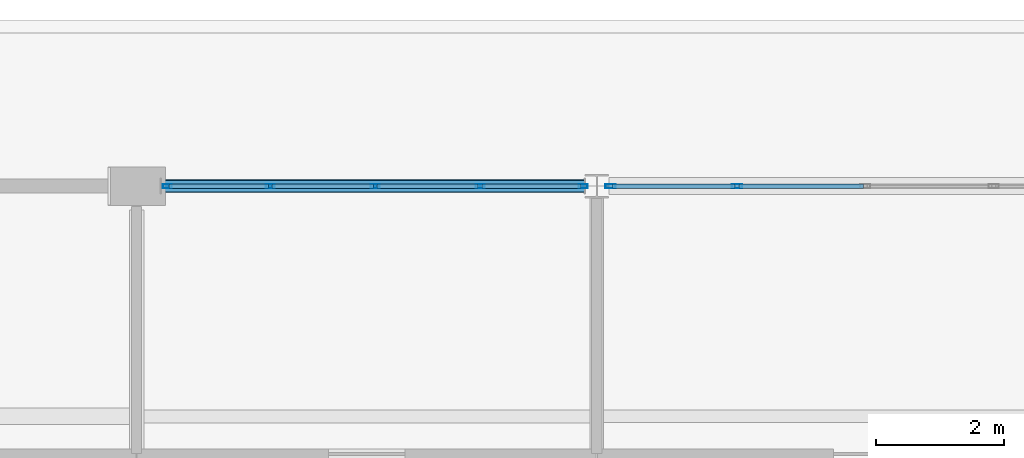
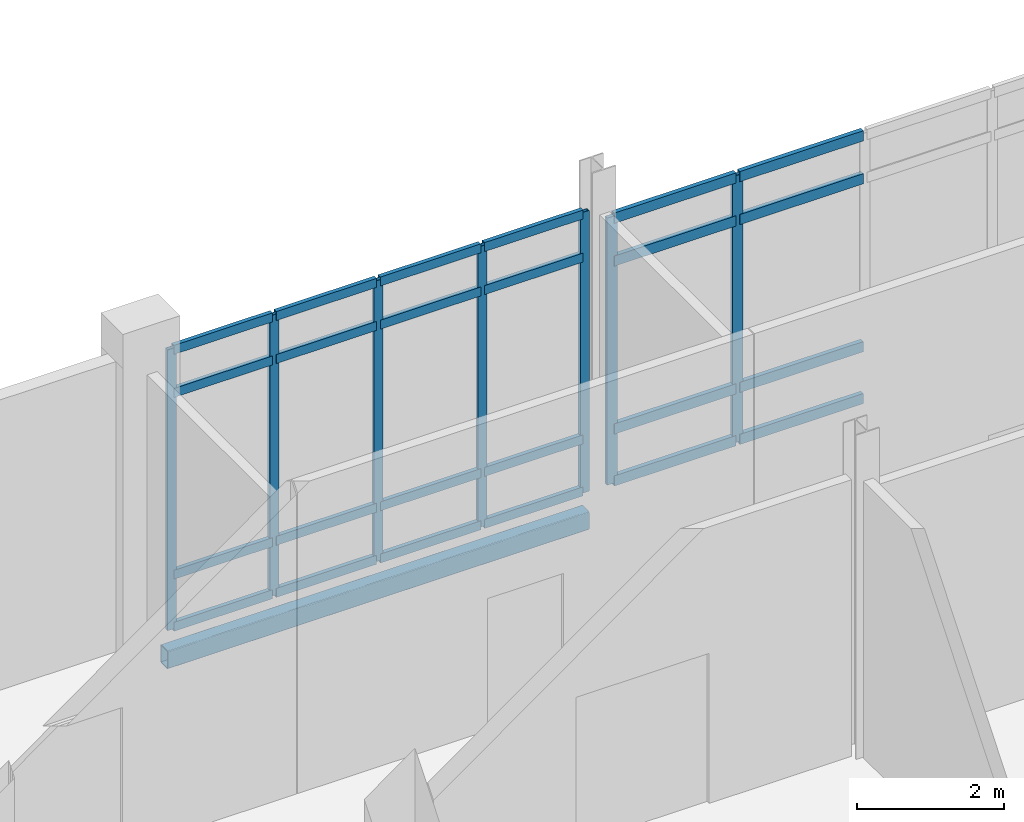
# One storey, part 88 of 229: 31 members, 1 beam, 2 elements without a shape of their own.
"""IFC4 building model written with IfcOpenShell, lengths in metres."""

from ifc_helpers import new_model, si_unit, direction, frame, origin, origin_2d, place, context, subcontext, project, spatial, hollow_rectangle, extrude, material, layer, layer_set, material_profile, profile_set, type_object, element, aggregate, save


model = new_model("IFC4")

# Units and contexts
model_context = context("Model", 3, precision=1e-05, world=origin(), true_north=direction((0.0, 1.0)))
body_context = subcontext(model_context, "Body", "Model", "MODEL_VIEW")
ifc_project = project(units=[si_unit("LENGTHUNIT", "METRE"), si_unit("AREAUNIT", "SQUARE_METRE"), si_unit("VOLUMEUNIT", "CUBIC_METRE"), si_unit("PLANEANGLEUNIT", "RADIAN"), si_unit("MASSUNIT", "GRAM", prefix="KILO")], contexts=[model_context])

# Site, building, storey
site_placement = place(None, origin())
site = spatial("IfcSite", under=ifc_project, at=site_placement, CompositionType="ELEMENT")
building_placement = place(site_placement, origin())
building = spatial("IfcBuilding", under=site, at=building_placement, Name="Calvrana Isthmian Art Gallery", CompositionType="ELEMENT")
storey_placement = place(building_placement, origin())
storey = spatial("IfcBuildingStorey", under=building, at=storey_placement, Name="L00", CompositionType="ELEMENT", Elevation=0.0)

# Beam
ifc_material_1 = material(Name="Steel ASTM A500 Gr C", Category="steel")
ifc_material_profile_1 = material_profile(ifc_material_1, hollow_rectangle(XDim=0.203125, YDim=0.3046875, WallThickness=0.0126953125, OuterFilletRadius=0.02490234375, at=origin_2d()), Name="HSS305X203X12.7")
ifc_profile_set_1 = profile_set([ifc_material_profile_1], Name="Steel ASTM A500 Gr C")
beam_type = type_object("IfcBeamType", Name="BM-SP-HSS305", PredefinedType="SPANDREL", material=ifc_profile_set_1)
beam_placement = place(storey_placement, frame((14.77490234375, 112.800048828125, -0.4375), z_axis=(1.0, 0.0, 0.0), x_axis=(0.0, 1.0, 0.0)))
element("IfcBeam", 1, at=beam_placement, inside=storey, type_object=beam_type, Name="Girder X L00 03-04/P", PredefinedType="SPANDREL", context=body_context, shape_type="SweptSolid", body=[
    extrude(hollow_rectangle(XDim=0.203125, YDim=0.3046875, WallThickness=0.0126953125, OuterFilletRadius=0.02490234375, at=origin_2d()), origin(), (0.0, 0.0, 1.0), 6.638671875),
])

# Curtain wall, members
ifc_material_2 = material(Name="Anodized bronze aluminium 6063-T6", Category="aluminium")
ifc_layer_1 = layer(ifc_material_2, 0.179931640625, Name="Anodized bronze aluminium 6063-T6")
ifc_layer_set_1 = layer_set([ifc_layer_1], Name="Anodized bronze aluminium 6063-T6")
curtain_wall_type_1 = type_object("IfcCurtainWallType", Name="CW-STICK-066X47", PredefinedType="NOTDEFINED", material=ifc_layer_set_1)
curtain_wall_1_placement = place(storey_placement, origin())
curtain_wall_1 = element("IfcCurtainWall", 2, at=curtain_wall_1_placement, inside=storey, type_object=curtain_wall_type_1, Name="Curtain wall CW-042", PredefinedType="NOTDEFINED")
ifc_material_profile_2 = material_profile(ifc_material_2, hollow_rectangle(XDim=0.06005859375, YDim=0.139892578125, WallThickness=0.00390625, at=origin_2d()), Name="CWM60X140")
ifc_profile_set_2 = profile_set([ifc_material_profile_2], Name="Anodized bronze aluminium 6063-T6")
member_type_1 = type_object("IfcMemberType", Name="CWM-CWM60X140", PredefinedType="MULLION", material=ifc_profile_set_2)
member_1_placement = place(storey_placement, frame((14.8798828125, 112.800048828125, 0.0), z_axis=(0.0, 0.0, 1.0), x_axis=(0.0, 1.0, 0.0)))
member_1 = element("IfcMember", 3, at=member_1_placement, type_object=member_type_1, Name="CW-042 mullion 1", PredefinedType="MULLION", context=body_context, shape_type="SweptSolid", body=[
    extrude(hollow_rectangle(XDim=0.06005859375, YDim=0.139892578125, WallThickness=0.00390625, at=origin_2d()), origin(), (0.0, 0.0, 1.0), 4.677978515625),
])
member_2_placement = place(storey_placement, frame((16.4912109375, 112.800048828125, 0.0), z_axis=(0.0, 0.0, 1.0), x_axis=(0.0, 1.0, 0.0)))
member_2 = element("IfcMember", 4, at=member_2_placement, type_object=member_type_1, Name="CW-042 mullion 2", PredefinedType="MULLION", context=body_context, shape_type="SweptSolid", body=[
    extrude(hollow_rectangle(XDim=0.06005859375, YDim=0.139892578125, WallThickness=0.00390625, at=origin_2d()), origin(), (0.0, 0.0, 1.0), 4.677978515625),
])
member_3_placement = place(storey_placement, frame((18.13232421875, 112.800048828125, 0.0), z_axis=(0.0, 0.0, 1.0), x_axis=(0.0, 1.0, 0.0)))
member_3 = element("IfcMember", 5, at=member_3_placement, type_object=member_type_1, Name="CW-042 mullion 3", PredefinedType="MULLION", context=body_context, shape_type="SweptSolid", body=[
    extrude(hollow_rectangle(XDim=0.06005859375, YDim=0.139892578125, WallThickness=0.00390625, at=origin_2d()), origin(), (0.0, 0.0, 1.0), 4.677978515625),
])
member_4_placement = place(storey_placement, frame((19.7734375, 112.800048828125, 0.0), z_axis=(0.0, 0.0, 1.0), x_axis=(0.0, 1.0, 0.0)))
member_4 = element("IfcMember", 6, at=member_4_placement, type_object=member_type_1, Name="CW-042 mullion 4", PredefinedType="MULLION", context=body_context, shape_type="SweptSolid", body=[
    extrude(hollow_rectangle(XDim=0.06005859375, YDim=0.139892578125, WallThickness=0.00390625, at=origin_2d()), origin(), (0.0, 0.0, 1.0), 4.677978515625),
])
member_5_placement = place(storey_placement, frame((21.384521484375, 112.800048828125, 0.0), z_axis=(0.0, 0.0, 1.0), x_axis=(0.0, 1.0, 0.0)))
member_5 = element("IfcMember", 7, at=member_5_placement, type_object=member_type_1, Name="CW-042 mullion 5", PredefinedType="MULLION", context=body_context, shape_type="SweptSolid", body=[
    extrude(hollow_rectangle(XDim=0.06005859375, YDim=0.139892578125, WallThickness=0.00390625, at=origin_2d()), origin(), (0.0, 0.0, 1.0), 4.677978515625),
])

ifc_layer_2 = layer(ifc_material_2, 0.179931640625, Name="Anodized bronze aluminium 6063-T6")
ifc_layer_set_2 = layer_set([ifc_layer_2], Name="Anodized bronze aluminium 6063-T6")
curtain_wall_type_2 = type_object("IfcCurtainWallType", Name="CW-UNIT-080X44", PredefinedType="USERDEFINED", material=ifc_layer_set_2)
curtain_wall_2_placement = place(storey_placement, origin())
curtain_wall_2 = element("IfcCurtainWall", 8, at=curtain_wall_2_placement, inside=storey, type_object=curtain_wall_type_2, Name="Curtain wall CW-043", ObjectType="UNITISED CURTAIN WALL", PredefinedType="USERDEFINED")
ifc_material_profile_3 = material_profile(ifc_material_2, hollow_rectangle(XDim=0.06005859375, YDim=0.159912109375, WallThickness=0.00390625, at=origin_2d()), Name="CWM60X160")
ifc_profile_set_3 = profile_set([ifc_material_profile_3], Name="Anodized bronze aluminium 6063-T6")
member_type_2 = type_object("IfcMemberType", Name="CWM-CWM60X160", PredefinedType="MULLION", material=ifc_profile_set_3)
member_6_placement = place(storey_placement, frame((21.8154296875, 112.800048828125, 0.0), z_axis=(0.0, 0.0, 1.0), x_axis=(0.0, 1.0, 0.0)))
member_6 = element("IfcMember", 9, at=member_6_placement, type_object=member_type_2, Name="CW-043 mullion 1", PredefinedType="MULLION", context=body_context, shape_type="SweptSolid", body=[
    extrude(hollow_rectangle(XDim=0.06005859375, YDim=0.159912109375, WallThickness=0.00390625, at=origin_2d()), origin(), (0.0, 0.0, 1.0), 4.447021484375),
])
member_7_placement = place(storey_placement, frame((23.793212890625, 112.800048828125, 0.0), z_axis=(0.0, 0.0, 1.0), x_axis=(0.0, 1.0, 0.0)))
member_7 = element("IfcMember", 10, at=member_7_placement, type_object=member_type_2, Name="CW-043 mullion 2", PredefinedType="MULLION", context=body_context, shape_type="SweptSolid", body=[
    extrude(hollow_rectangle(XDim=0.06005859375, YDim=0.159912109375, WallThickness=0.00390625, at=origin_2d()), origin(), (0.0, 0.0, 1.0), 4.447021484375),
])

# Member
ifc_material_profile_4 = material_profile(ifc_material_2, hollow_rectangle(XDim=0.06494140625, YDim=0.14990234375, WallThickness=0.00390625, at=origin_2d()), Name="CWT65X150")
ifc_profile_set_4 = profile_set([ifc_material_profile_4], Name="Anodized bronze aluminium 6063-T6")
member_type_3 = type_object("IfcMemberType", Name="CWT-CWT65X150", PredefinedType="USERDEFINED", material=ifc_profile_set_4)
member_8_placement = place(storey_placement, frame((14.909912109375, 112.800048828125, 0.032470703125), z_axis=(1.0, 0.0, 0.0), x_axis=(0.0, 1.0, 0.0)))
member_8 = element("IfcMember", 11, at=member_8_placement, type_object=member_type_3, Name="CW-042 transom 1.1", ObjectType="TRANSOM", PredefinedType="USERDEFINED", context=body_context, shape_type="SweptSolid", body=[
    extrude(hollow_rectangle(XDim=0.06494140625, YDim=0.14990234375, WallThickness=0.00390625, at=origin_2d()), origin(), (0.0, 0.0, 1.0), 1.55126953125),
])

member_9_placement = place(storey_placement, frame((14.909912109375, 112.800048828125, 0.89990234375), z_axis=(1.0, 0.0, 0.0), x_axis=(0.0, 1.0, 0.0)))
member_9 = element("IfcMember", 12, at=member_9_placement, type_object=member_type_3, Name="CW-042 transom 1.2", ObjectType="TRANSOM", PredefinedType="USERDEFINED", context=body_context, shape_type="SweptSolid", body=[
    extrude(hollow_rectangle(XDim=0.06494140625, YDim=0.14990234375, WallThickness=0.00390625, at=origin_2d()), origin(), (0.0, 0.0, 1.0), 1.55126953125),
])

member_10_placement = place(storey_placement, frame((14.909912109375, 112.800048828125, 3.927978515625), z_axis=(1.0, 0.0, 0.0), x_axis=(0.0, 1.0, 0.0)))
member_10 = element("IfcMember", 13, at=member_10_placement, type_object=member_type_3, Name="CW-042 transom 1.3", ObjectType="TRANSOM", PredefinedType="USERDEFINED", context=body_context, shape_type="SweptSolid", body=[
    extrude(hollow_rectangle(XDim=0.06494140625, YDim=0.14990234375, WallThickness=0.00390625, at=origin_2d()), origin(), (0.0, 0.0, 1.0), 1.55126953125),
])

member_11_placement = place(storey_placement, frame((14.909912109375, 112.800048828125, 4.6455078125), z_axis=(1.0, 0.0, 0.0), x_axis=(0.0, 1.0, 0.0)))
member_11 = element("IfcMember", 14, at=member_11_placement, type_object=member_type_3, Name="CW-042 transom 1.4", ObjectType="TRANSOM", PredefinedType="USERDEFINED", context=body_context, shape_type="SweptSolid", body=[
    extrude(hollow_rectangle(XDim=0.06494140625, YDim=0.14990234375, WallThickness=0.00390625, at=origin_2d()), origin(), (0.0, 0.0, 1.0), 1.55126953125),
])

member_12_placement = place(storey_placement, frame((16.521240234375, 112.800048828125, 0.032470703125), z_axis=(1.0, 0.0, 0.0), x_axis=(0.0, 1.0, 0.0)))
member_12 = element("IfcMember", 15, at=member_12_placement, type_object=member_type_3, Name="CW-042 transom 2.1", ObjectType="TRANSOM", PredefinedType="USERDEFINED", context=body_context, shape_type="SweptSolid", body=[
    extrude(hollow_rectangle(XDim=0.06494140625, YDim=0.14990234375, WallThickness=0.00390625, at=origin_2d()), origin(), (0.0, 0.0, 1.0), 1.5810546875),
])

member_13_placement = place(storey_placement, frame((16.521240234375, 112.800048828125, 0.89990234375), z_axis=(1.0, 0.0, 0.0), x_axis=(0.0, 1.0, 0.0)))
member_13 = element("IfcMember", 16, at=member_13_placement, type_object=member_type_3, Name="CW-042 transom 2.2", ObjectType="TRANSOM", PredefinedType="USERDEFINED", context=body_context, shape_type="SweptSolid", body=[
    extrude(hollow_rectangle(XDim=0.06494140625, YDim=0.14990234375, WallThickness=0.00390625, at=origin_2d()), origin(), (0.0, 0.0, 1.0), 1.5810546875),
])

member_14_placement = place(storey_placement, frame((16.521240234375, 112.800048828125, 3.927978515625), z_axis=(1.0, 0.0, 0.0), x_axis=(0.0, 1.0, 0.0)))
member_14 = element("IfcMember", 17, at=member_14_placement, type_object=member_type_3, Name="CW-042 transom 2.3", ObjectType="TRANSOM", PredefinedType="USERDEFINED", context=body_context, shape_type="SweptSolid", body=[
    extrude(hollow_rectangle(XDim=0.06494140625, YDim=0.14990234375, WallThickness=0.00390625, at=origin_2d()), origin(), (0.0, 0.0, 1.0), 1.5810546875),
])

member_15_placement = place(storey_placement, frame((16.521240234375, 112.800048828125, 4.6455078125), z_axis=(1.0, 0.0, 0.0), x_axis=(0.0, 1.0, 0.0)))
member_15 = element("IfcMember", 18, at=member_15_placement, type_object=member_type_3, Name="CW-042 transom 2.4", ObjectType="TRANSOM", PredefinedType="USERDEFINED", context=body_context, shape_type="SweptSolid", body=[
    extrude(hollow_rectangle(XDim=0.06494140625, YDim=0.14990234375, WallThickness=0.00390625, at=origin_2d()), origin(), (0.0, 0.0, 1.0), 1.5810546875),
])

member_16_placement = place(storey_placement, frame((18.162353515625, 112.800048828125, 0.032470703125), z_axis=(1.0, 0.0, 0.0), x_axis=(0.0, 1.0, 0.0)))
member_16 = element("IfcMember", 19, at=member_16_placement, type_object=member_type_3, Name="CW-042 transom 3.1", ObjectType="TRANSOM", PredefinedType="USERDEFINED", context=body_context, shape_type="SweptSolid", body=[
    extrude(hollow_rectangle(XDim=0.06494140625, YDim=0.14990234375, WallThickness=0.00390625, at=origin_2d()), origin(), (0.0, 0.0, 1.0), 1.5810546875),
])

member_17_placement = place(storey_placement, frame((18.162353515625, 112.800048828125, 0.89990234375), z_axis=(1.0, 0.0, 0.0), x_axis=(0.0, 1.0, 0.0)))
member_17 = element("IfcMember", 20, at=member_17_placement, type_object=member_type_3, Name="CW-042 transom 3.2", ObjectType="TRANSOM", PredefinedType="USERDEFINED", context=body_context, shape_type="SweptSolid", body=[
    extrude(hollow_rectangle(XDim=0.06494140625, YDim=0.14990234375, WallThickness=0.00390625, at=origin_2d()), origin(), (0.0, 0.0, 1.0), 1.5810546875),
])

member_18_placement = place(storey_placement, frame((18.162353515625, 112.800048828125, 3.927978515625), z_axis=(1.0, 0.0, 0.0), x_axis=(0.0, 1.0, 0.0)))
member_18 = element("IfcMember", 21, at=member_18_placement, type_object=member_type_3, Name="CW-042 transom 3.3", ObjectType="TRANSOM", PredefinedType="USERDEFINED", context=body_context, shape_type="SweptSolid", body=[
    extrude(hollow_rectangle(XDim=0.06494140625, YDim=0.14990234375, WallThickness=0.00390625, at=origin_2d()), origin(), (0.0, 0.0, 1.0), 1.5810546875),
])

member_19_placement = place(storey_placement, frame((18.162353515625, 112.800048828125, 4.6455078125), z_axis=(1.0, 0.0, 0.0), x_axis=(0.0, 1.0, 0.0)))
member_19 = element("IfcMember", 22, at=member_19_placement, type_object=member_type_3, Name="CW-042 transom 3.4", ObjectType="TRANSOM", PredefinedType="USERDEFINED", context=body_context, shape_type="SweptSolid", body=[
    extrude(hollow_rectangle(XDim=0.06494140625, YDim=0.14990234375, WallThickness=0.00390625, at=origin_2d()), origin(), (0.0, 0.0, 1.0), 1.5810546875),
])

member_20_placement = place(storey_placement, frame((19.803466796875, 112.800048828125, 0.032470703125), z_axis=(1.0, 0.0, 0.0), x_axis=(0.0, 1.0, 0.0)))
member_20 = element("IfcMember", 23, at=member_20_placement, type_object=member_type_3, Name="CW-042 transom 4.1", ObjectType="TRANSOM", PredefinedType="USERDEFINED", context=body_context, shape_type="SweptSolid", body=[
    extrude(hollow_rectangle(XDim=0.06494140625, YDim=0.14990234375, WallThickness=0.00390625, at=origin_2d()), origin(), (0.0, 0.0, 1.0), 1.551025390625),
])

member_21_placement = place(storey_placement, frame((19.803466796875, 112.800048828125, 0.89990234375), z_axis=(1.0, 0.0, 0.0), x_axis=(0.0, 1.0, 0.0)))
member_21 = element("IfcMember", 24, at=member_21_placement, type_object=member_type_3, Name="CW-042 transom 4.2", ObjectType="TRANSOM", PredefinedType="USERDEFINED", context=body_context, shape_type="SweptSolid", body=[
    extrude(hollow_rectangle(XDim=0.06494140625, YDim=0.14990234375, WallThickness=0.00390625, at=origin_2d()), origin(), (0.0, 0.0, 1.0), 1.551025390625),
])

member_22_placement = place(storey_placement, frame((19.803466796875, 112.800048828125, 3.927978515625), z_axis=(1.0, 0.0, 0.0), x_axis=(0.0, 1.0, 0.0)))
member_22 = element("IfcMember", 25, at=member_22_placement, type_object=member_type_3, Name="CW-042 transom 4.3", ObjectType="TRANSOM", PredefinedType="USERDEFINED", context=body_context, shape_type="SweptSolid", body=[
    extrude(hollow_rectangle(XDim=0.06494140625, YDim=0.14990234375, WallThickness=0.00390625, at=origin_2d()), origin(), (0.0, 0.0, 1.0), 1.551025390625),
])

member_23_placement = place(storey_placement, frame((19.803466796875, 112.800048828125, 4.6455078125), z_axis=(1.0, 0.0, 0.0), x_axis=(0.0, 1.0, 0.0)))
member_23 = element("IfcMember", 26, at=member_23_placement, type_object=member_type_3, Name="CW-042 transom 4.4", ObjectType="TRANSOM", PredefinedType="USERDEFINED", context=body_context, shape_type="SweptSolid", body=[
    extrude(hollow_rectangle(XDim=0.06494140625, YDim=0.14990234375, WallThickness=0.00390625, at=origin_2d()), origin(), (0.0, 0.0, 1.0), 1.551025390625),
])

aggregate(curtain_wall_1, [member_1, member_2, member_3, member_4, member_5, member_8, member_9, member_10, member_11, member_12, member_13, member_14, member_15, member_16, member_17, member_18, member_19, member_20, member_21, member_22, member_23])

ifc_material_profile_5 = material_profile(ifc_material_2, hollow_rectangle(XDim=0.070068359375, YDim=0.169921875, WallThickness=0.00439453125, at=origin_2d()), Name="CWT70X170")
ifc_profile_set_5 = profile_set([ifc_material_profile_5], Name="Anodized bronze aluminium 6063-T6")
member_type_4 = type_object("IfcMemberType", Name="CWT-CWT70X170", PredefinedType="USERDEFINED", material=ifc_profile_set_5)
member_24_placement = place(storey_placement, frame((21.845458984375, 112.800048828125, 0.034912109375), z_axis=(1.0, 0.0, 0.0), x_axis=(0.0, 1.0, 0.0)))
member_24 = element("IfcMember", 27, at=member_24_placement, type_object=member_type_4, Name="CW-043 transom 1.1", ObjectType="TRANSOM", PredefinedType="USERDEFINED", context=body_context, shape_type="SweptSolid", body=[
    extrude(hollow_rectangle(XDim=0.070068359375, YDim=0.169921875, WallThickness=0.00439453125, at=origin_2d()), origin(), (0.0, 0.0, 1.0), 1.917724609375),
])

member_25_placement = place(storey_placement, frame((21.845458984375, 112.800048828125, 0.89990234375), z_axis=(1.0, 0.0, 0.0), x_axis=(0.0, 1.0, 0.0)))
member_25 = element("IfcMember", 28, at=member_25_placement, type_object=member_type_4, Name="CW-043 transom 1.2", ObjectType="TRANSOM", PredefinedType="USERDEFINED", context=body_context, shape_type="SweptSolid", body=[
    extrude(hollow_rectangle(XDim=0.070068359375, YDim=0.169921875, WallThickness=0.00439453125, at=origin_2d()), origin(), (0.0, 0.0, 1.0), 1.917724609375),
])

member_26_placement = place(storey_placement, frame((21.845458984375, 112.800048828125, 3.697021484375), z_axis=(1.0, 0.0, 0.0), x_axis=(0.0, 1.0, 0.0)))
member_26 = element("IfcMember", 29, at=member_26_placement, type_object=member_type_4, Name="CW-043 transom 1.3", ObjectType="TRANSOM", PredefinedType="USERDEFINED", context=body_context, shape_type="SweptSolid", body=[
    extrude(hollow_rectangle(XDim=0.070068359375, YDim=0.169921875, WallThickness=0.00439453125, at=origin_2d()), origin(), (0.0, 0.0, 1.0), 1.917724609375),
])

member_27_placement = place(storey_placement, frame((21.845458984375, 112.800048828125, 4.412109375), z_axis=(1.0, 0.0, 0.0), x_axis=(0.0, 1.0, 0.0)))
member_27 = element("IfcMember", 30, at=member_27_placement, type_object=member_type_4, Name="CW-043 transom 1.4", ObjectType="TRANSOM", PredefinedType="USERDEFINED", context=body_context, shape_type="SweptSolid", body=[
    extrude(hollow_rectangle(XDim=0.070068359375, YDim=0.169921875, WallThickness=0.00439453125, at=origin_2d()), origin(), (0.0, 0.0, 1.0), 1.917724609375),
])

member_28_placement = place(storey_placement, frame((23.8232421875, 112.800048828125, 0.034912109375), z_axis=(1.0, 0.0, 0.0), x_axis=(0.0, 1.0, 0.0)))
member_28 = element("IfcMember", 31, at=member_28_placement, type_object=member_type_4, Name="CW-043 transom 2.1", ObjectType="TRANSOM", PredefinedType="USERDEFINED", context=body_context, shape_type="SweptSolid", body=[
    extrude(hollow_rectangle(XDim=0.070068359375, YDim=0.169921875, WallThickness=0.00439453125, at=origin_2d()), origin(), (0.0, 0.0, 1.0), 1.947509765625),
])

member_29_placement = place(storey_placement, frame((23.8232421875, 112.800048828125, 0.89990234375), z_axis=(1.0, 0.0, 0.0), x_axis=(0.0, 1.0, 0.0)))
member_29 = element("IfcMember", 32, at=member_29_placement, type_object=member_type_4, Name="CW-043 transom 2.2", ObjectType="TRANSOM", PredefinedType="USERDEFINED", context=body_context, shape_type="SweptSolid", body=[
    extrude(hollow_rectangle(XDim=0.070068359375, YDim=0.169921875, WallThickness=0.00439453125, at=origin_2d()), origin(), (0.0, 0.0, 1.0), 1.947509765625),
])

member_30_placement = place(storey_placement, frame((23.8232421875, 112.800048828125, 3.697021484375), z_axis=(1.0, 0.0, 0.0), x_axis=(0.0, 1.0, 0.0)))
member_30 = element("IfcMember", 33, at=member_30_placement, type_object=member_type_4, Name="CW-043 transom 2.3", ObjectType="TRANSOM", PredefinedType="USERDEFINED", context=body_context, shape_type="SweptSolid", body=[
    extrude(hollow_rectangle(XDim=0.070068359375, YDim=0.169921875, WallThickness=0.00439453125, at=origin_2d()), origin(), (0.0, 0.0, 1.0), 1.947509765625),
])

member_31_placement = place(storey_placement, frame((23.8232421875, 112.800048828125, 4.412109375), z_axis=(1.0, 0.0, 0.0), x_axis=(0.0, 1.0, 0.0)))
member_31 = element("IfcMember", 34, at=member_31_placement, type_object=member_type_4, Name="CW-043 transom 2.4", ObjectType="TRANSOM", PredefinedType="USERDEFINED", context=body_context, shape_type="SweptSolid", body=[
    extrude(hollow_rectangle(XDim=0.070068359375, YDim=0.169921875, WallThickness=0.00439453125, at=origin_2d()), origin(), (0.0, 0.0, 1.0), 1.947509765625),
])

aggregate(curtain_wall_2, [member_6, member_7, member_24, member_25, member_26, member_27, member_28, member_29, member_30, member_31])

save(model, "model.ifc")
